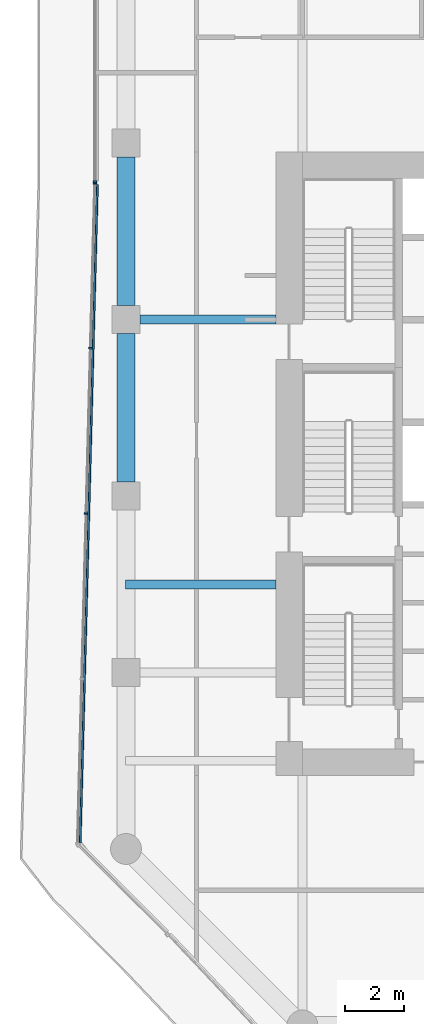
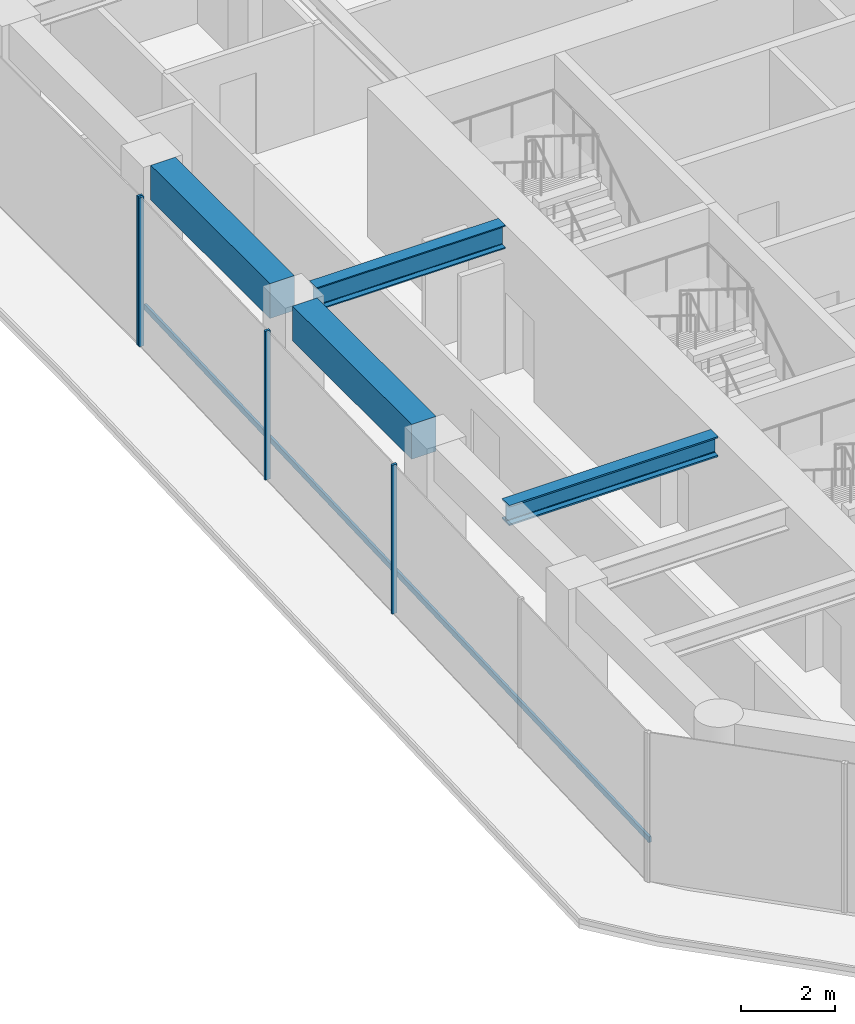
# One storey, part 5 of 28: 5 members, 4 beams, 2 elements without a shape of their own.
"""IFC4 building model written with IfcOpenShell, lengths in metres."""

from ifc_helpers import new_model, si_unit, direction, frame, origin, origin_2d, place, context, subcontext, project, spatial, rectangle, i_section, extrude, material, layer, layer_set, material_profile, profile_set, type_object, element, aggregate, save


model = new_model("IFC4")

# Units and contexts
model_context = context("Model", 3, precision=1e-05, world=origin(), true_north=direction((0.0, 1.0)))
body_context = subcontext(model_context, "Body", "Model", "MODEL_VIEW")
ifc_project = project(units=[si_unit("LENGTHUNIT", "METRE"), si_unit("AREAUNIT", "SQUARE_METRE"), si_unit("VOLUMEUNIT", "CUBIC_METRE"), si_unit("PLANEANGLEUNIT", "RADIAN"), si_unit("MASSUNIT", "GRAM", prefix="KILO")], contexts=[model_context])

# Site, building, storey
site_placement = place(None, origin())
site = spatial("IfcSite", under=ifc_project, at=site_placement, CompositionType="ELEMENT")
building_placement = place(site_placement, origin())
building = spatial("IfcBuilding", under=site, at=building_placement, Name="Welwitschia Terrace Campus", CompositionType="ELEMENT")
storey_placement = place(building_placement, frame((0.0, 0.0, 45.800048828125)))
storey = spatial("IfcBuildingStorey", under=building, at=storey_placement, Name="L10", CompositionType="ELEMENT", Elevation=45.800048828125)

# Beam
ifc_material_1 = material(Name="Steel S355", Category="steel")
ifc_material_profile_1 = material_profile(ifc_material_1, i_section(OverallWidth=0.305908203125, OverallDepth=0.52392578125, WebThickness=0.02099609375, FlangeThickness=0.0400390625, FilletRadius=0.027099609375, at=origin_2d()))
ifc_profile_set_1 = profile_set([ifc_material_profile_1], Name="Steel S355")
beam_type_1 = type_object("IfcBeamType", Name="Interior girder HE 500 M", PredefinedType="BEAM", material=ifc_profile_set_1)
beam_1_placement = place(storey_placement, frame((-0.010009765625, 11.0, 3.587890625), z_axis=(1.0, 0.0, 0.0), x_axis=(0.0, 1.0, 0.0)))
element("IfcBeam", 1, at=beam_1_placement, inside=storey, type_object=beam_type_1, Name="Girder GB2", PredefinedType="BEAM", context=body_context, shape_type="SweptSolid", body=[
    extrude(i_section(OverallWidth=0.305908203125, OverallDepth=0.52392578125, WebThickness=0.02099609375, FlangeThickness=0.0400390625, FilletRadius=0.027099609375, at=origin_2d()), origin(), (0.0, 0.0, 1.0), 5.109130859375),
])

# Curtain wall, member
ifc_material_2 = material(Name="Bronze anodised aluminium", Category="aluminium")
ifc_layer = layer(ifc_material_2, 0.1201171875)
ifc_layer_set = layer_set([ifc_layer], Name="Bronze anodised aluminium")
curtain_wall_type = type_object("IfcCurtainWallType", Name="Curtain wall CW2 tower 6000", PredefinedType="NOTDEFINED", material=ifc_layer_set)
curtain_wall_1_placement = place(storey_placement, origin())
curtain_wall_1 = element("IfcCurtainWall", 2, at=curtain_wall_1_placement, inside=storey, type_object=curtain_wall_type, Name="CW L10.11.0", PredefinedType="NOTDEFINED")
ifc_material_3 = material(Name="Bronze anodised aluminium", Category="aluminium")
ifc_material_profile_2 = material_profile(ifc_material_3, rectangle(XDim=0.1201171875, YDim=0.06005859375, at=origin_2d()))
ifc_profile_set_2 = profile_set([ifc_material_profile_2], Name="Bronze anodised aluminium")
member_type_1 = type_object("IfcMemberType", Name="Mullion 60x120", PredefinedType="MULLION", material=ifc_profile_set_2)
member_1_placement = place(storey_placement, frame((-1.05810546875, 24.68603515625, 0.0), z_axis=(0.0, 0.0, 1.0), x_axis=(1.0, 0.0, 0.0)))
member_1 = element("IfcMember", 3, at=member_1_placement, type_object=member_type_1, Name="Mullion L10.11.0.6", PredefinedType="MULLION", context=body_context, shape_type="SweptSolid", body=[
    extrude(rectangle(XDim=0.1201171875, YDim=0.06005859375, at=origin_2d()), origin(), (0.0, 0.0, 1.0), 3.849853515625),
])
aggregate(curtain_wall_1, [member_1])

# Curtain wall, members
curtain_wall_2_placement = place(storey_placement, origin())
curtain_wall_2 = element("IfcCurtainWall", 4, at=curtain_wall_2_placement, inside=storey, type_object=curtain_wall_type, Name="CW L10.12.0", PredefinedType="NOTDEFINED")
member_2_placement = place(storey_placement, frame((-1.058837890625, 24.6259765625, 0.0), z_axis=(0.0, 0.0, 1.0), x_axis=(0.999657324976, -0.026176948308, 0.0)))
member_2 = element("IfcMember", 5, at=member_2_placement, type_object=member_type_1, Name="Mullion L10.12.0.0", PredefinedType="MULLION", context=body_context, shape_type="SweptSolid", body=[
    extrude(rectangle(XDim=0.1201171875, YDim=0.06005859375, at=origin_2d()), origin(), (0.0, 0.0, 1.0), 3.849853515625),
])
member_3_placement = place(storey_placement, frame((-1.205322265625, 19.02978515625, 0.0), z_axis=(0.0, 0.0, 1.0), x_axis=(0.999657324976, -0.026176948308, 0.0)))
member_3 = element("IfcMember", 6, at=member_3_placement, type_object=member_type_1, Name="Mullion L10.12.0.1", PredefinedType="MULLION", context=body_context, shape_type="SweptSolid", body=[
    extrude(rectangle(XDim=0.1201171875, YDim=0.06005859375, at=origin_2d()), origin(), (0.0, 0.0, 1.0), 3.849853515625),
])
member_4_placement = place(storey_placement, frame((-1.3525390625, 13.403564453125, 0.0), z_axis=(0.0, 0.0, 1.0), x_axis=(0.999657324976, -0.026176948308, 0.0)))
member_4 = element("IfcMember", 7, at=member_4_placement, type_object=member_type_1, Name="Mullion L10.12.0.2", PredefinedType="MULLION", context=body_context, shape_type="SweptSolid", body=[
    extrude(rectangle(XDim=0.1201171875, YDim=0.06005859375, at=origin_2d()), origin(), (0.0, 0.0, 1.0), 3.849853515625),
])

# Beams
ifc_material_4 = material(Name="Steel S355", Category="steel")
ifc_material_profile_3 = material_profile(ifc_material_4, i_section(OverallWidth=0.300048828125, OverallDepth=0.60009765625, WebThickness=0.015380859375, FlangeThickness=0.030029296875, FilletRadius=0.027099609375, at=origin_2d()))
ifc_profile_set_3 = profile_set([ifc_material_profile_3], Name="Steel S355")
beam_type_2 = type_object("IfcBeamType", Name="Primary beam HE 600 B", PredefinedType="BEAM", material=ifc_profile_set_3)
beam_2_placement = place(storey_placement, frame((0.4755859375, 20.0, 3.550048828125), z_axis=(1.0, 0.0, 0.0), x_axis=(0.0, 1.0, 0.0)))
element("IfcBeam", 8, at=beam_2_placement, inside=storey, type_object=beam_type_2, Name="Primary beam PB2", PredefinedType="BEAM", context=body_context, shape_type="SweptSolid", body=[
    extrude(i_section(OverallWidth=0.300048828125, OverallDepth=0.60009765625, WebThickness=0.015380859375, FlangeThickness=0.030029296875, FilletRadius=0.027099609375, at=origin_2d()), origin(), (0.0, 0.0, 1.0), 4.62451171875),
])
ifc_material_5 = material(Name="Concrete C60/75", Category="concrete")
ifc_material_profile_4 = material_profile(ifc_material_5, rectangle(XDim=0.60009765625, YDim=0.89990234375, at=origin_2d()))
ifc_profile_set_4 = profile_set([ifc_material_profile_4], Name="Concrete C60/75")
beam_type_3 = type_object("IfcBeamType", Name="Ring spandrel 600x900", PredefinedType="SPANDREL", material=ifc_profile_set_4)
for number, where, z_axis, x_axis, name in (
    (9, (0.0, 25.5244140625, 3.39990234375), (0.0, -1.0, 0.0), (1.0, 0.0, 0.0), "Spandrel SP2"),
    (10, (0.0, 19.5244140625, 3.39990234375), (0.0, -1.0, 0.0), (1.0, 0.0, 0.0), "Spandrel SP2"),
):
    element("IfcBeam", number, at=place(storey_placement, frame(where, z_axis=z_axis, x_axis=x_axis)), inside=storey, type_object=beam_type_3, Name=name, PredefinedType="SPANDREL", context=body_context, shape_type="SweptSolid", body=[
        extrude(rectangle(XDim=0.60009765625, YDim=0.89990234375, at=origin_2d()), origin(), (0.0, 0.0, 1.0), 5.048828125),
    ])

# Member
ifc_material_6 = material(Name="Bronze anodised aluminium", Category="aluminium")
ifc_material_profile_5 = material_profile(ifc_material_6, rectangle(XDim=0.06005859375, YDim=0.14990234375, at=origin_2d()))
ifc_profile_set_5 = profile_set([ifc_material_profile_5], Name="Bronze anodised aluminium")
member_type_2 = type_object("IfcMemberType", Name="Transom 60x150", PredefinedType="USERDEFINED", material=ifc_profile_set_5)
member_5_placement = place(storey_placement, frame((-0.969482421875, 24.593505859375, 1.0), z_axis=(-0.026177658937, -0.999657306367, 0.0), x_axis=(0.999657306367, -0.026177658937, 0.0)))
member_5 = element("IfcMember", 11, at=member_5_placement, type_object=member_type_2, Name="Transom L10.12.0", ObjectType="TRANSOM", PredefinedType="USERDEFINED", context=body_context, shape_type="SweptSolid", body=[
    extrude(rectangle(XDim=0.06005859375, YDim=0.14990234375, at=origin_2d()), origin(), (0.0, 0.0, 1.0), 22.392333984375),
])

aggregate(curtain_wall_2, [member_2, member_3, member_4, member_5])

save(model, "model.ifc")
